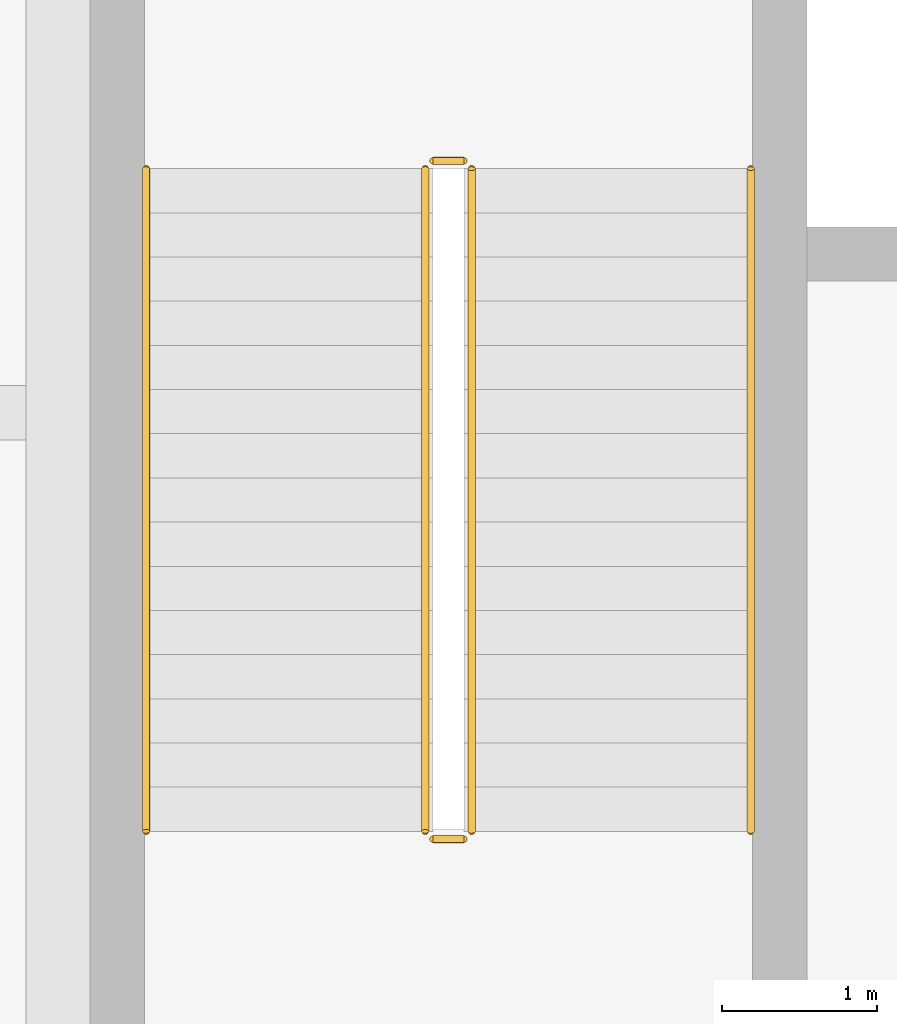
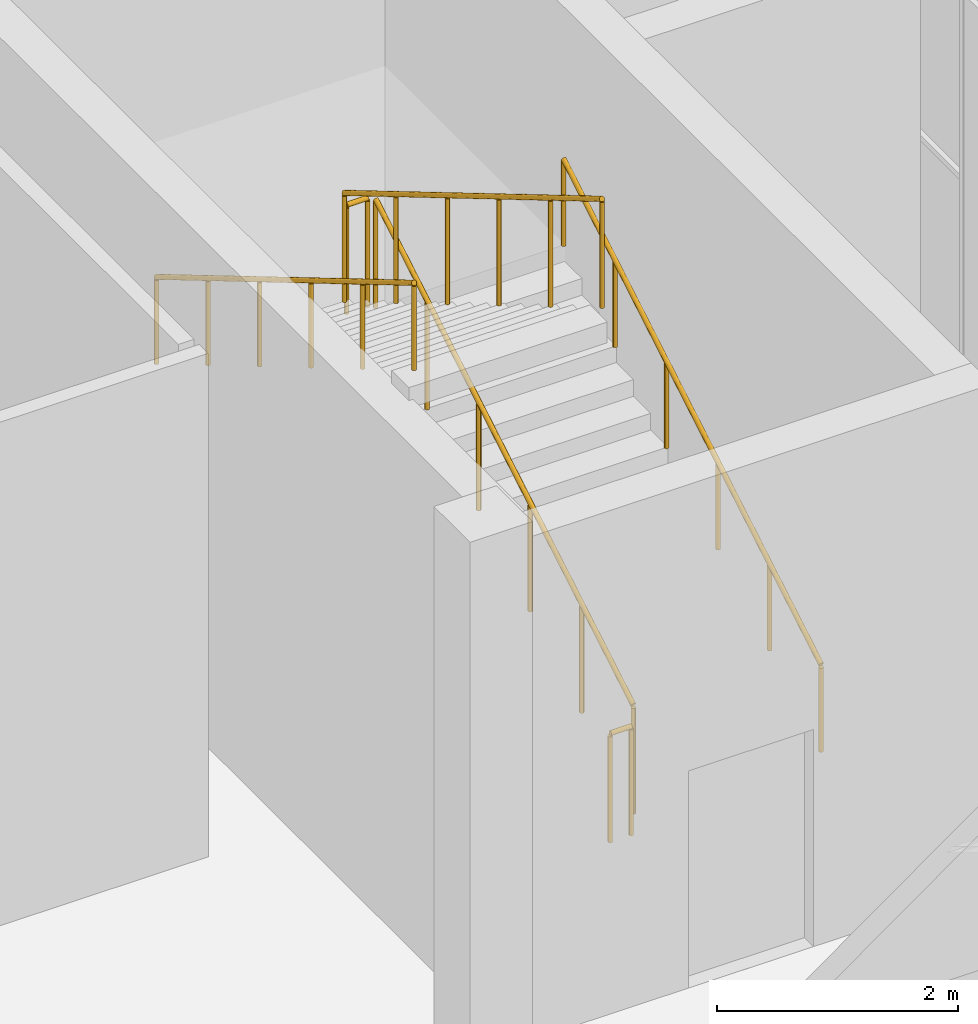
# One storey, part 15 of 15: 6 railings.
"""IFC4 building model written with IfcOpenShell, lengths in metres."""

from ifc_helpers import new_model, si_unit, direction, frame, origin, origin_2d, place, context, subcontext, project, spatial, circle, extrude, material, type_object, element, save


model = new_model("IFC4")

# Units and contexts
model_context = context("Model", 3, precision=1e-05, world=origin(), true_north=direction((0.0, 1.0)))
body_context = subcontext(model_context, "Body", "Model", "MODEL_VIEW")
ifc_project = project(units=[si_unit("LENGTHUNIT", "METRE"), si_unit("AREAUNIT", "SQUARE_METRE"), si_unit("VOLUMEUNIT", "CUBIC_METRE"), si_unit("PLANEANGLEUNIT", "RADIAN"), si_unit("MASSUNIT", "GRAM", prefix="KILO")], contexts=[model_context])

# Site, building, storey
site_placement = place(None, origin())
site = spatial("IfcSite", under=ifc_project, at=site_placement, CompositionType="ELEMENT")
building_placement = place(site_placement, origin())
building = spatial("IfcBuilding", under=site, at=building_placement, Name="Shalvenor Court Art Gallery", CompositionType="ELEMENT")
storey_placement = place(building_placement, frame((0.0, 0.0, 27.0)))
storey = spatial("IfcBuildingStorey", under=building, at=storey_placement, Name="L05", CompositionType="ELEMENT", Elevation=27.0)

# Railings
ifc_material_1 = material(Name="Painted steel post-and-rail guard", Category="steel")
railing_type_1 = type_object("IfcRailingType", Name="GR-02", PredefinedType="GUARDRAIL", material=ifc_material_1)
railing_1_placement = place(storey_placement, frame((170.64990234375, 81.300048828125, 0.168701171875)))
element("IfcRailing", 1, at=railing_1_placement, inside=storey, type_object=railing_type_1, Name="L05 ST-01 Stair Guard 1", PredefinedType="GUARDRAIL", context=body_context, shape_type="SweptSolid", body=[
    extrude(circle(Radius=0.02392578125, at=origin_2d()), frame((0.0, 0.0, 1.09619140625), z_axis=(0.0, 0.860470286479, 0.509500624227), x_axis=(-1.0, 0.0, 0.0)), (0.0, 0.0, 1.0), 4.968017578125),
    extrude(circle(Radius=0.02099609375, at=origin_2d()), origin(), (0.0, 0.0, 1.0), 1.072021484375),
    extrude(circle(Radius=0.02099609375, at=origin_2d()), frame((0.0, 0.85498046875, 0.50634765625)), (0.0, 0.0, 1.0), 1.072021484375),
    extrude(circle(Radius=0.02099609375, at=origin_2d()), frame((0.0, 1.7099609375, 1.012451171875)), (0.0, 0.0, 1.0), 1.072021484375),
    extrude(circle(Radius=0.02099609375, at=origin_2d()), frame((0.0, 2.56494140625, 1.518798828125)), (0.0, 0.0, 1.0), 1.072021484375),
    extrude(circle(Radius=0.02099609375, at=origin_2d()), frame((0.0, 3.419921875, 2.02490234375)), (0.0, 0.0, 1.0), 1.072021484375),
    extrude(circle(Radius=0.02099609375, at=origin_2d()), frame((0.0, 4.27490234375, 2.53125)), (0.0, 0.0, 1.0), 1.072021484375),
])
railing_2_placement = place(storey_placement, frame((170.60009765625, 85.625, 2.699951171875)))
element("IfcRailing", 2, at=railing_2_placement, inside=storey, type_object=railing_type_1, Name="L05 ST-01 Stair Guard 2", PredefinedType="GUARDRAIL", context=body_context, shape_type="SweptSolid", body=[
    extrude(circle(Radius=0.02392578125, at=origin_2d()), frame((0.0, 0.0, 1.09619140625), z_axis=(-1.0, 0.0, 0.0), x_axis=(0.0, -1.0, 0.0)), (0.0, 0.0, 1.0), 0.2001953125),
    extrude(circle(Radius=0.02099609375, at=origin_2d()), origin(), (0.0, 0.0, 1.0), 1.072021484375),
    extrude(circle(Radius=0.02099609375, at=origin_2d()), frame((-0.2001953125, 0.0, 0.0)), (0.0, 0.0, 1.0), 1.072021484375),
])
railing_3_placement = place(storey_placement, frame((170.35009765625, 85.574951171875, 2.86865234375)))
element("IfcRailing", 3, at=railing_3_placement, inside=storey, type_object=railing_type_1, Name="L05 ST-01 Stair Guard 3", PredefinedType="GUARDRAIL", context=body_context, shape_type="SweptSolid", body=[
    extrude(circle(Radius=0.02392578125, at=origin_2d()), frame((0.0, 0.0, 1.09619140625), z_axis=(0.0, -0.860470286479, 0.509500624227), x_axis=(1.0, 0.0, 0.0)), (0.0, 0.0, 1.0), 4.968017578125),
    extrude(circle(Radius=0.02099609375, at=origin_2d()), origin(), (0.0, 0.0, 1.0), 1.072021484375),
    extrude(circle(Radius=0.02099609375, at=origin_2d()), frame((0.0, -0.85498046875, 0.50634765625)), (0.0, 0.0, 1.0), 1.072021484375),
    extrude(circle(Radius=0.02099609375, at=origin_2d()), frame((0.0, -1.7099609375, 1.012451171875)), (0.0, 0.0, 1.0), 1.072021484375),
    extrude(circle(Radius=0.02099609375, at=origin_2d()), frame((0.0, -2.56494140625, 1.518798828125)), (0.0, 0.0, 1.0), 1.072021484375),
    extrude(circle(Radius=0.02099609375, at=origin_2d()), frame((0.0, -3.419921875, 2.02490234375)), (0.0, 0.0, 1.0), 1.072021484375),
    extrude(circle(Radius=0.02099609375, at=origin_2d()), frame((0.0, -4.27490234375, 2.53125)), (0.0, 0.0, 1.0), 1.072021484375),
])
railing_4_placement = place(storey_placement, frame((170.60009765625, 81.25, 0.0)))
element("IfcRailing", 4, at=railing_4_placement, inside=storey, type_object=railing_type_1, Name="L05 ST-01 Stair Guard 4", PredefinedType="GUARDRAIL", context=body_context, shape_type="SweptSolid", body=[
    extrude(circle(Radius=0.02392578125, at=origin_2d()), frame((0.0, 0.0, 1.09619140625), z_axis=(-1.0, 0.0, 0.0), x_axis=(0.0, -1.0, 0.0)), (0.0, 0.0, 1.0), 0.2001953125),
    extrude(circle(Radius=0.02099609375, at=origin_2d()), origin(), (0.0, 0.0, 1.0), 1.072021484375),
    extrude(circle(Radius=0.02099609375, at=origin_2d()), frame((-0.2001953125, 0.0, 0.0)), (0.0, 0.0, 1.0), 1.072021484375),
])
ifc_material_2 = material(Name="Brushed stainless steel handrail", Category="steel")
railing_type_2 = type_object("IfcRailingType", Name="HR-01", PredefinedType="HANDRAIL", material=ifc_material_2)
railing_5_placement = place(storey_placement, frame((172.449951171875, 81.300048828125, 0.168701171875)))
element("IfcRailing", 5, at=railing_5_placement, inside=storey, type_object=railing_type_2, Name="L05 ST-01 Stair Handrail 1", PredefinedType="HANDRAIL", context=body_context, shape_type="SweptSolid", body=[
    extrude(circle(Radius=0.02392578125, at=origin_2d()), frame((0.0, 0.0, 0.8759765625), z_axis=(0.0, 0.860470286479, 0.509500624227), x_axis=(-1.0, 0.0, 0.0)), (0.0, 0.0, 1.0), 4.968017578125),
    extrude(circle(Radius=0.02099609375, at=origin_2d()), origin(), (0.0, 0.0, 1.0), 0.851806640625),
    extrude(circle(Radius=0.02099609375, at=origin_2d()), frame((0.0, 0.85498046875, 0.50634765625)), (0.0, 0.0, 1.0), 0.851806640625),
    extrude(circle(Radius=0.02099609375, at=origin_2d()), frame((0.0, 1.7099609375, 1.012451171875)), (0.0, 0.0, 1.0), 0.851806640625),
    extrude(circle(Radius=0.02099609375, at=origin_2d()), frame((0.0, 2.56494140625, 1.518798828125)), (0.0, 0.0, 1.0), 0.851806640625),
    extrude(circle(Radius=0.02099609375, at=origin_2d()), frame((0.0, 3.419921875, 2.02490234375)), (0.0, 0.0, 1.0), 0.851806640625),
    extrude(circle(Radius=0.02099609375, at=origin_2d()), frame((0.0, 4.27490234375, 2.53125)), (0.0, 0.0, 1.0), 0.851806640625),
])
railing_6_placement = place(storey_placement, frame((168.550048828125, 85.574951171875, 2.86865234375)))
element("IfcRailing", 6, at=railing_6_placement, inside=storey, type_object=railing_type_2, Name="L05 ST-01 Stair Handrail 2", PredefinedType="HANDRAIL", context=body_context, shape_type="SweptSolid", body=[
    extrude(circle(Radius=0.02392578125, at=origin_2d()), frame((0.0, 0.0, 0.8759765625), z_axis=(0.0, -0.860470286479, 0.509500624227), x_axis=(1.0, 0.0, 0.0)), (0.0, 0.0, 1.0), 4.968017578125),
    extrude(circle(Radius=0.02099609375, at=origin_2d()), origin(), (0.0, 0.0, 1.0), 0.851806640625),
    extrude(circle(Radius=0.02099609375, at=origin_2d()), frame((0.0, -0.85498046875, 0.50634765625)), (0.0, 0.0, 1.0), 0.851806640625),
    extrude(circle(Radius=0.02099609375, at=origin_2d()), frame((0.0, -1.7099609375, 1.012451171875)), (0.0, 0.0, 1.0), 0.851806640625),
    extrude(circle(Radius=0.02099609375, at=origin_2d()), frame((0.0, -2.56494140625, 1.518798828125)), (0.0, 0.0, 1.0), 0.851806640625),
    extrude(circle(Radius=0.02099609375, at=origin_2d()), frame((0.0, -3.419921875, 2.02490234375)), (0.0, 0.0, 1.0), 0.851806640625),
    extrude(circle(Radius=0.02099609375, at=origin_2d()), frame((0.0, -4.27490234375, 2.53125)), (0.0, 0.0, 1.0), 0.851806640625),
])

save(model, "model.ifc")
